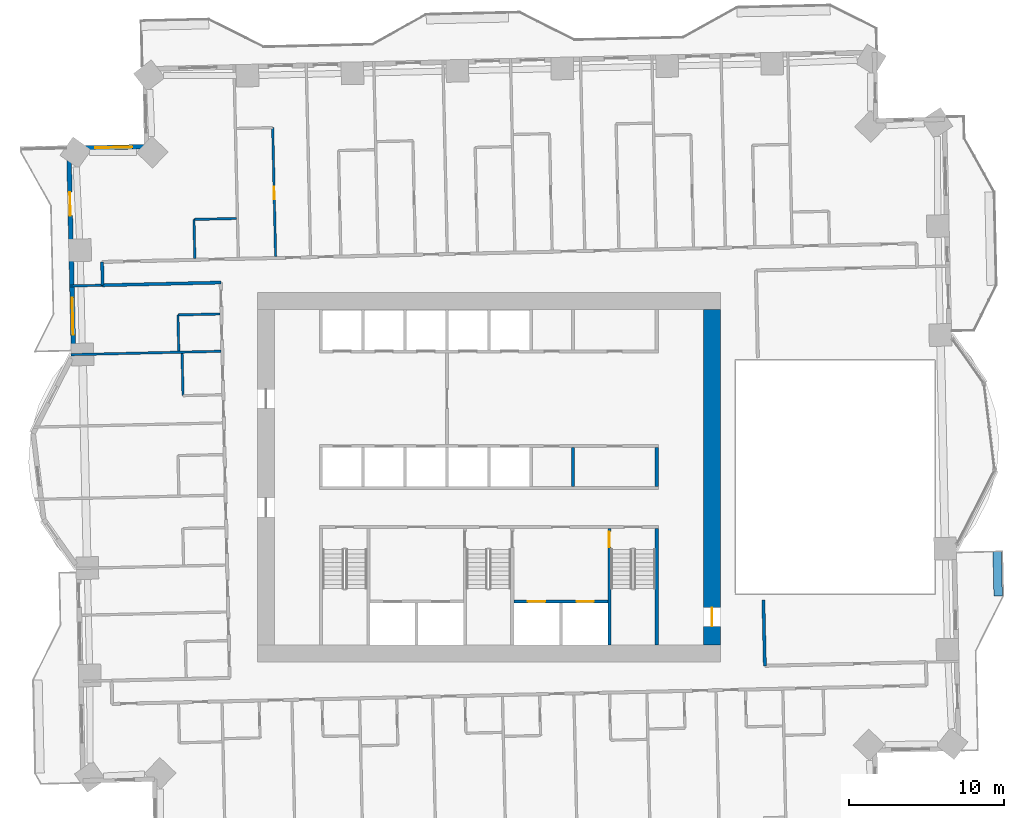
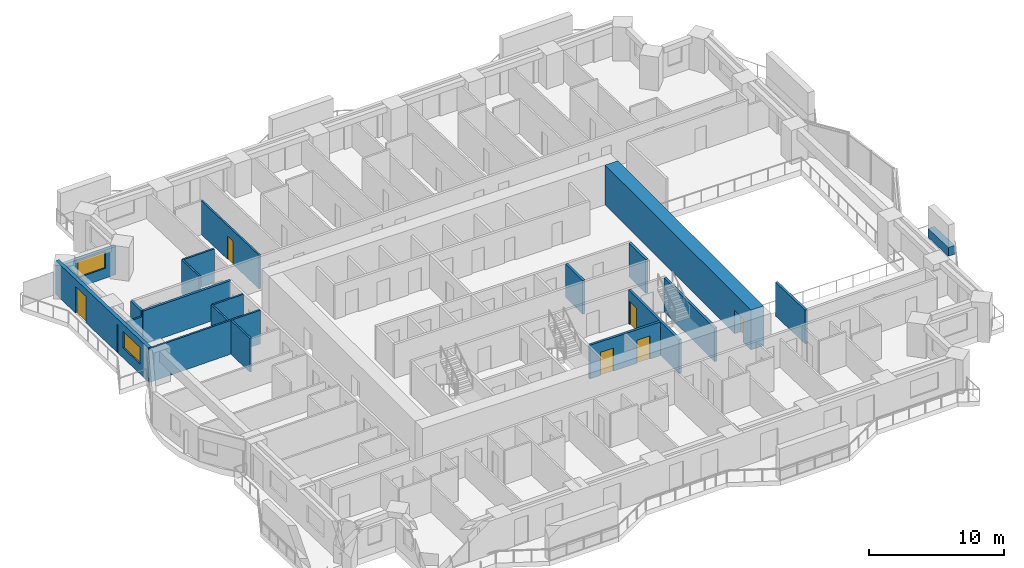
# One storey, part 10 of 17: 20 walls, 6 doors, 2 windows, 8 openings.
"""IFC4 building model written with IfcOpenShell, lengths in metres."""

from ifc_helpers import new_model, si_unit, direction, frame, frame_2d, origin, place, context, subcontext, project, spatial, rectangle, extrude, material, layer, layer_set, type_object, element, fill, save


model = new_model("IFC4")

# Units and contexts
model_context = context("Model", 3, precision=1e-05, world=origin(), true_north=direction((0.0, 1.0)))
body_context = subcontext(model_context, "Body", "Model", "MODEL_VIEW")
ifc_project = project(units=[si_unit("LENGTHUNIT", "METRE"), si_unit("AREAUNIT", "SQUARE_METRE"), si_unit("VOLUMEUNIT", "CUBIC_METRE"), si_unit("PLANEANGLEUNIT", "RADIAN"), si_unit("MASSUNIT", "GRAM", prefix="KILO")], contexts=[model_context])

# Site, building, storey
site_placement = place(None, origin())
site = spatial("IfcSite", under=ifc_project, at=site_placement, CompositionType="ELEMENT")
building_placement = place(site_placement, origin())
building = spatial("IfcBuilding", under=site, at=building_placement, Name="Mangrove Gate Tower", CompositionType="ELEMENT")
storey_placement = place(building_placement, frame((0.0, 0.0, 82.89990234375)))
storey = spatial("IfcBuildingStorey", under=building, at=storey_placement, Name="L20", CompositionType="ELEMENT", Elevation=82.89990234375)

# Walls
ifc_material_1 = material(Name="Concrete C32/40", Category="concrete")
ifc_layer_1 = layer(ifc_material_1, 0.199951171875)
ifc_layer_set_1 = layer_set([ifc_layer_1], Name="Core room wall 200 C32/40")
wall_type_1 = type_object("IfcWallType", Name="Core room wall 200 C32/40", PredefinedType="STANDARD", material=ifc_layer_set_1)
for number, where, z_axis, x_axis, name in (
    (1, (5.39990234375, -0.60009765625, 0.0), (0.0, 0.0, 1.0), (0.0, 1.0, 0.0), "WALL-L20-CORE-25"),
    (2, (10.800048828125, -0.60009765625, 0.0), (0.0, 0.0, 1.0), (0.0, 1.0, 0.0), "WALL-L20-CORE-26"),
):
    element("IfcWall", number, at=place(storey_placement, frame(where, z_axis=z_axis, x_axis=x_axis)), inside=storey, type_object=wall_type_1, Name=name, PredefinedType="STANDARD", context=body_context, shape_type="SweptSolid", body=[
        extrude(rectangle(XDim=2.5, YDim=0.199951171875, at=frame_2d((1.25, 0.0))), origin(), (0.0, 0.0, 1.0), 3.050048828125),
    ])

# Wall, openings, doors
ifc_material_2 = material(Name="Concrete C70/85", Category="concrete")
ifc_layer_2 = layer(ifc_material_2, 0.199951171875)
ifc_layer_set_2 = layer_set([ifc_layer_2], Name="Core shaft wall 200 C70/85")
wall_type_2 = type_object("IfcWallType", Name="Core shaft wall 200 C70/85", PredefinedType="SHEAR", material=ifc_layer_set_2)
wall_1_placement = place(storey_placement, frame((1.60009765625, -8.0, 0.0), z_axis=(0.0, 0.0, 1.0), x_axis=(1.0, 0.0, 0.0)))
wall_1 = element("IfcWall", 3, at=wall_1_placement, inside=storey, type_object=wall_type_2, Name="WALL-L20-CORE-17", PredefinedType="SHEAR", context=body_context, shape_type="SweptSolid", body=[
    extrude(rectangle(XDim=6.0498046875, YDim=0.199951171875, at=frame_2d((3.02490234375, 0.0))), origin(), (0.0, 0.0, 1.0), 3.050048828125),
])
opening_1_placement = place(wall_1_placement, frame((0.91259765625, 0.0, 0.0)))
opening_1 = element("IfcOpeningElement", 4, at=opening_1_placement, cuts=wall_1, Name="Opening LD", PredefinedType="OPENING", context=body_context, shape_type="SweptSolid", body=[
    extrude(rectangle(XDim=1.10009765625, YDim=2.10009765625, at=frame_2d((0.550048828125, 1.050048828125))), frame((0.0, 0.10986328125, 0.0), z_axis=(0.0, -1.0, 0.0), x_axis=(1.0, 0.0, 0.0)), (0.0, 0.0, 1.0), 0.219970703125),
])
opening_2_placement = place(wall_1_placement, frame((4.03759765625, 0.0, 0.0)))
opening_2 = element("IfcOpeningElement", 5, at=opening_2_placement, cuts=wall_1, Name="Opening LD", PredefinedType="OPENING", context=body_context, shape_type="SweptSolid", body=[
    extrude(rectangle(XDim=1.10009765625, YDim=2.10009765625, at=frame_2d((0.550048828125, 1.050048828125))), frame((0.0, 0.10986328125, 0.0), z_axis=(0.0, -1.0, 0.0), x_axis=(1.0, 0.0, 0.0)), (0.0, 0.0, 1.0), 0.219970703125),
])
ifc_material_3 = material(Name="Stainless steel 316", Category="steel")
door_type_1 = type_object("IfcDoorType", Name="Lift landing door 1100x2100", OperationType="SLIDING_TO_LEFT", PredefinedType="DOOR", material=ifc_material_3)
door_1_placement = place(opening_1_placement, origin())
door_1 = element("IfcDoor", 6, at=door_1_placement, inside=storey, type_object=door_type_1, Name="Landing door LD FFL1", OperationType="SLIDING_TO_LEFT", OverallHeight=2.10009765625, OverallWidth=1.10009765625, PredefinedType="DOOR", context=body_context, shape_type="SweptSolid", body=[
    extrude(rectangle(XDim=1.10009765625, YDim=2.10009765625, at=frame_2d((0.550048828125, 1.050048828125))), frame((0.0, 0.02490234375, 0.0), z_axis=(0.0, -1.0, 0.0), x_axis=(1.0, 0.0, 0.0)), (0.0, 0.0, 1.0), 0.050048828125),
])
fill(opening_1, door_1)
door_2_placement = place(opening_2_placement, origin())
door_2 = element("IfcDoor", 7, at=door_2_placement, inside=storey, type_object=door_type_1, Name="Landing door LD FFL2", OperationType="SLIDING_TO_LEFT", OverallHeight=2.10009765625, OverallWidth=1.10009765625, PredefinedType="DOOR", context=body_context, shape_type="SweptSolid", body=[
    extrude(rectangle(XDim=1.10009765625, YDim=2.10009765625, at=frame_2d((0.550048828125, 1.050048828125))), frame((0.0, 0.02490234375, 0.0), z_axis=(0.0, -1.0, 0.0), x_axis=(1.0, 0.0, 0.0)), (0.0, 0.0, 1.0), 0.050048828125),
])
fill(opening_2, door_2)

# Wall, opening, door
ifc_material_4 = material(Name="Concrete C70/85", Category="concrete")
ifc_layer_3 = layer(ifc_material_4, 0.199951171875)
ifc_layer_set_3 = layer_set([ifc_layer_3], Name="Core stair wall 200 C70/85")
wall_type_3 = type_object("IfcWallType", Name="Core stair wall 200 C70/85", PredefinedType="SHEAR", material=ifc_layer_set_3)
wall_2_placement = place(storey_placement, frame((7.75, -10.800048828125, 0.0), z_axis=(0.0, 0.0, 1.0), x_axis=(0.0, 1.0, 0.0)))
wall_2 = element("IfcWall", 8, at=wall_2_placement, inside=storey, type_object=wall_type_3, Name="WALL-L20-CORE-13", PredefinedType="SHEAR", context=body_context, shape_type="SweptSolid", body=[
    extrude(rectangle(XDim=7.5, YDim=0.199951171875, at=frame_2d((3.75, 0.0))), origin(), (0.0, 0.0, 1.0), 3.050048828125),
])
opening_3_placement = place(wall_2_placement, frame((6.300048828125, 0.0, 0.0)))
opening_3 = element("IfcOpeningElement", 9, at=opening_3_placement, cuts=wall_2, Name="Opening STD10", PredefinedType="OPENING", context=body_context, shape_type="SweptSolid", body=[
    extrude(rectangle(XDim=1.0, YDim=2.10009765625, at=frame_2d((0.5, 1.050048828125))), frame((0.0, 0.10986328125, 0.0), z_axis=(0.0, -1.0, 0.0), x_axis=(1.0, 0.0, 0.0)), (0.0, 0.0, 1.0), 0.219970703125),
])
ifc_material_5 = material(Name="Fire-rated steel door set", Category="steel")
door_type_2 = type_object("IfcDoorType", Name="Stair door FD60 1000x2100", OperationType="SINGLE_SWING_RIGHT", PredefinedType="DOOR", material=ifc_material_5)
door_3_placement = place(opening_3_placement, origin())
door_3 = element("IfcDoor", 10, at=door_3_placement, inside=storey, type_object=door_type_2, Name="Stair door Stair 3 from fire-fighting lobby", OperationType="SINGLE_SWING_RIGHT", OverallHeight=2.10009765625, OverallWidth=1.0, PredefinedType="DOOR", context=body_context, shape_type="SweptSolid", body=[
    extrude(rectangle(XDim=1.0, YDim=2.10009765625, at=frame_2d((0.5, 1.050048828125))), frame((0.0, 0.02490234375, 0.0), z_axis=(0.0, -1.0, 0.0), x_axis=(1.0, 0.0, 0.0)), (0.0, 0.0, 1.0), 0.050048828125),
])
fill(opening_3, door_3)

# Wall
wall_3_placement = place(storey_placement, frame((10.800048828125, -10.800048828125, 0.0), z_axis=(0.0, 0.0, 1.0), x_axis=(0.0, 1.0, 0.0)))
element("IfcWall", 11, at=wall_3_placement, inside=storey, type_object=wall_type_3, Name="WALL-L20-CORE-14", PredefinedType="SHEAR", context=body_context, shape_type="SweptSolid", body=[
    extrude(rectangle(XDim=7.5, YDim=0.199951171875, at=frame_2d((3.75, 0.0))), origin(), (0.0, 0.0, 1.0), 3.050048828125),
])

# Wall, opening, door
ifc_material_6 = material(Name="Concrete C70/85", Category="concrete")
ifc_layer_4 = layer(ifc_material_6, 1.10009765625)
ifc_layer_set_4 = layer_set([ifc_layer_4], Name="Core wall 1100 C70/85")
wall_type_4 = type_object("IfcWallType", Name="Core wall 1100 C70/85", PredefinedType="SHEAR", material=ifc_layer_set_4)
wall_4_placement = place(storey_placement, frame((14.35009765625, -10.800048828125, 0.0), z_axis=(0.0, 0.0, 1.0), x_axis=(0.0, 1.0, 0.0)))
wall_4 = element("IfcWall", 12, at=wall_4_placement, inside=storey, type_object=wall_type_4, Name="WALL-L20-CORE-4", PredefinedType="SHEAR", context=body_context, shape_type="SweptSolid", body=[
    extrude(rectangle(XDim=21.60009765625, YDim=1.10009765625, at=frame_2d((10.800048828125, 0.0))), origin(), (0.0, 0.0, 1.0), 3.60009765625),
])
opening_4_placement = place(wall_4_placement, frame((1.199951171875, 0.0, 0.0)))
opening_4 = element("IfcOpeningElement", 13, at=opening_4_placement, cuts=wall_4, Name="Opening CD", PredefinedType="OPENING", context=body_context, shape_type="SweptSolid", body=[
    extrude(rectangle(XDim=1.199951171875, YDim=2.10009765625, at=frame_2d((0.60009765625, 1.050048828125))), frame((0.0, 0.56005859375, 0.0), z_axis=(0.0, -1.0, 0.0), x_axis=(1.0, 0.0, 0.0)), (0.0, 0.0, 1.0), 1.1201171875),
])
ifc_material_7 = material(Name="Fire-rated steel door set", Category="steel")
door_type_3 = type_object("IfcDoorType", Name="Core ring door FD60 1200x2100", OperationType="DOUBLE_DOOR_SINGLE_SWING", PredefinedType="DOOR", material=ifc_material_7)
door_4_placement = place(opening_4_placement, origin())
door_4 = element("IfcDoor", 14, at=door_4_placement, inside=storey, type_object=door_type_3, Name="Core ring door E1", OperationType="DOUBLE_DOOR_SINGLE_SWING", OverallHeight=2.10009765625, OverallWidth=1.199951171875, PredefinedType="DOOR", context=body_context, shape_type="SweptSolid", body=[
    extrude(rectangle(XDim=1.199951171875, YDim=2.10009765625, at=frame_2d((0.60009765625, 1.050048828125))), frame((0.0, 0.02490234375, 0.0), z_axis=(0.0, -1.0, 0.0), x_axis=(1.0, 0.0, 0.0)), (0.0, 0.0, 1.0), 0.050048828125),
])
fill(opening_4, door_4)

# Walls
ifc_material_8 = material(Name="Gypsum board on steel stud, EI 60", Category="steel")
ifc_layer_5 = layer(ifc_material_8, 0.199951171875)
ifc_layer_set_5 = layer_set([ifc_layer_5], Name="Corridor wall EI 60")
wall_type_5 = type_object("IfcWallType", Name="Corridor wall EI 60", PredefinedType="PARTITIONING", material=ifc_layer_set_5)
wall_5_placement = place(storey_placement, frame((17.757080078125, -12.136962890625, 0.0), z_axis=(0.0, 0.0, 1.0), x_axis=(-0.022718785711, 0.999741895079, 0.0)))
element("IfcWall", 15, at=wall_5_placement, inside=storey, type_object=wall_type_5, Name="WALL-L20-038", PredefinedType="PARTITIONING", context=body_context, shape_type="SweptSolid", body=[
    extrude(rectangle(XDim=4.23388671875, YDim=0.199951171875, at=frame_2d((2.116943359375, 0.0))), origin(), (0.0, 0.0, 1.0), 3.050048828125),
])
wall_6_placement = place(storey_placement, frame((-24.861083984375, 12.35205078125, 0.0), z_axis=(0.0, 0.0, 1.0), x_axis=(0.999741736108, 0.02272578017, 0.0)))
element("IfcWall", 16, at=wall_6_placement, inside=storey, type_object=wall_type_5, Name="WALL-L20-056", PredefinedType="PARTITIONING", context=body_context, shape_type="SweptSolid", body=[
    extrude(rectangle(XDim=7.60595703125, YDim=0.199951171875, at=frame_2d((3.802978515625, 0.0))), origin(), (0.0, 0.0, 1.0), 3.050048828125),
])
wall_7_placement = place(storey_placement, frame((-24.860107421875, 12.35205078125, 0.0), z_axis=(0.0, 0.0, 1.0), x_axis=(-0.022617910375, 0.999744182344, 0.0)))
element("IfcWall", 17, at=wall_7_placement, inside=storey, type_object=wall_type_5, Name="WALL-L20-057", PredefinedType="PARTITIONING", context=body_context, shape_type="SweptSolid", body=[
    extrude(rectangle(XDim=1.50048828125, YDim=0.199951171875, at=frame_2d((0.750244140625, 0.0))), origin(), (0.0, 0.0, 1.0), 3.050048828125),
])

# Wall, opening, window
ifc_material_9 = material(Name="Limestone", Category="masonry")
ifc_layer_6 = layer(ifc_material_9, 0.0400390625, Name="Limestone cladding")
ifc_material_10 = material(Name="Ventilated air gap")
ifc_layer_7 = layer(ifc_material_10, 0.0400390625, Name="Ventilated cavity")
ifc_material_11 = material(Name="Mineral wool insulation")
ifc_layer_8 = layer(ifc_material_11, 0.06005859375, Name="Insulation")
ifc_material_12 = material(Name="Breather membrane")
ifc_layer_9 = layer(ifc_material_12, 0.001953125, Name="Breather membrane")
ifc_material_13 = material(Name="Concrete C20/25 blockwork", Category="masonry")
ifc_layer_10 = layer(ifc_material_13, 0.14990234375, Name="Blockwork backing wall")
ifc_material_14 = material(Name="Gypsum plaster")
ifc_layer_11 = layer(ifc_material_14, 0.008056640625, Name="Internal plaster")
ifc_layer_set_6 = layer_set([ifc_layer_6, ifc_layer_7, ifc_layer_8, ifc_layer_9, ifc_layer_10, ifc_layer_11], Name="External wall 300 limestone cladding")
wall_type_6 = type_object("IfcWallType", Name="External wall 300 limestone cladding", PredefinedType="SOLIDWALL", material=ifc_layer_set_6)
wall_8_placement = place(storey_placement, frame((-22.037109375, 21.26904296875, 0.0), z_axis=(0.0, 0.0, 1.0), x_axis=(-0.999739992103, -0.022802372469, 0.0)))
wall_8 = element("IfcWall", 18, at=wall_8_placement, inside=storey, type_object=wall_type_6, Name="WALL-L20-N7", PredefinedType="SOLIDWALL", context=body_context, shape_type="SweptSolid", body=[
    extrude(rectangle(XDim=5.0, YDim=0.300048828125, at=frame_2d((2.5, 0.0))), origin(), (0.0, 0.0, 1.0), 2.550048828125),
])
opening_5_placement = place(wall_8_placement, frame((0.907958984375, 0.0, 0.89990234375)))
opening_5 = element("IfcOpeningElement", 19, at=opening_5_placement, cuts=wall_8, Name="Opening W2", PredefinedType="OPENING", context=body_context, shape_type="SweptSolid", body=[
    extrude(rectangle(XDim=2.39990234375, YDim=1.5, at=frame_2d((1.199951171875, 0.75))), frame((0.0, 0.159912109375, 0.0), z_axis=(0.0, -1.0, 0.0), x_axis=(1.0, 0.0, 0.0)), (0.0, 0.0, 1.0), 0.320068359375),
])
ifc_material_15 = material(Name="Aluminium frame with double-glazed low-e glass", Category="aluminium")
window_type = type_object("IfcWindowType", Name="Corner room window 2400x1500", PartitioningType="DOUBLE_PANEL_VERTICAL", PredefinedType="WINDOW", material=ifc_material_15)
window_1_placement = place(opening_5_placement, origin())
window_1 = element("IfcWindow", 20, at=window_1_placement, inside=storey, type_object=window_type, Name="WIN-L20-N7-1", OverallHeight=1.5, OverallWidth=2.39990234375, PartitioningType="DOUBLE_PANEL_VERTICAL", PredefinedType="WINDOW", context=body_context, shape_type="SweptSolid", body=[
    extrude(rectangle(XDim=2.39990234375, YDim=1.5, at=frame_2d((1.199951171875, 0.75))), frame((0.0, 0.030029296875, 0.0), z_axis=(0.0, -1.0, 0.0), x_axis=(1.0, 0.0, 0.0)), (0.0, 0.0, 1.0), 0.06005859375),
])
fill(opening_5, window_1)

# Wall, openings, door, window
wall_9_placement = place(storey_placement, frame((-27.035888671875, 21.155029296875, 0.0), z_axis=(0.0, 0.0, 1.0), x_axis=(0.022730142562, -0.999741636934, 0.0)))
wall_9 = element("IfcWall", 21, at=wall_9_placement, inside=storey, type_object=wall_type_6, Name="WALL-L20-W8", PredefinedType="SOLIDWALL", context=body_context, shape_type="SweptSolid", body=[
    extrude(rectangle(XDim=13.329345703125, YDim=0.300048828125, at=frame_2d((6.66455078125, 0.0))), origin(), (0.0, 0.0, 1.0), 3.050048828125),
])
opening_6_placement = place(wall_9_placement, frame((2.818115234375, 0.0, 0.0)))
opening_6 = element("IfcOpeningElement", 22, at=opening_6_placement, cuts=wall_9, Name="Opening BD1", PredefinedType="OPENING", context=body_context, shape_type="SweptSolid", body=[
    extrude(rectangle(XDim=1.5, YDim=2.39990234375, at=frame_2d((0.75, 1.199951171875))), frame((0.0, 0.159912109375, 0.0), z_axis=(0.0, -1.0, 0.0), x_axis=(1.0, 0.0, 0.0)), (0.0, 0.0, 1.0), 0.320068359375),
])
opening_7_placement = place(wall_9_placement, frame((9.60009765625, 0.0, 0.89990234375)))
opening_7 = element("IfcOpeningElement", 23, at=opening_7_placement, cuts=wall_9, Name="Opening W2", PredefinedType="OPENING", context=body_context, shape_type="SweptSolid", body=[
    extrude(rectangle(XDim=2.39990234375, YDim=1.5, at=frame_2d((1.199951171875, 0.75))), frame((0.0, 0.159912109375, 0.0), z_axis=(0.0, -1.0, 0.0), x_axis=(1.0, 0.0, 0.0)), (0.0, 0.0, 1.0), 0.320068359375),
])
ifc_material_16 = material(Name="Aluminium frame with laminated clear glass", Category="aluminium")
door_type_4 = type_object("IfcDoorType", Name="Balcony sliding door 1500x2400", OperationType="SLIDING_TO_LEFT", PredefinedType="DOOR", material=ifc_material_16)
door_5_placement = place(opening_6_placement, origin())
door_5 = element("IfcDoor", 24, at=door_5_placement, inside=storey, type_object=door_type_4, Name="DOOR-L20-W8-1", OperationType="SLIDING_TO_LEFT", OverallHeight=2.39990234375, OverallWidth=1.5, PredefinedType="DOOR", context=body_context, shape_type="SweptSolid", body=[
    extrude(rectangle(XDim=1.5, YDim=2.39990234375, at=frame_2d((0.75, 1.199951171875))), frame((0.0, 0.02490234375, 0.0), z_axis=(0.0, -1.0, 0.0), x_axis=(1.0, 0.0, 0.0)), (0.0, 0.0, 1.0), 0.050048828125),
])
fill(opening_6, door_5)
window_2_placement = place(opening_7_placement, origin())
window_2 = element("IfcWindow", 25, at=window_2_placement, inside=storey, type_object=window_type, Name="WIN-L20-W8-2", OverallHeight=1.5, OverallWidth=2.39990234375, PartitioningType="DOUBLE_PANEL_VERTICAL", PredefinedType="WINDOW", context=body_context, shape_type="SweptSolid", body=[
    extrude(rectangle(XDim=2.39990234375, YDim=1.5, at=frame_2d((1.199951171875, 0.75))), frame((0.0, 0.030029296875, 0.0), z_axis=(0.0, -1.0, 0.0), x_axis=(1.0, 0.0, 0.0)), (0.0, 0.0, 1.0), 0.06005859375),
])
fill(opening_7, window_2)

# Walls
ifc_material_17 = material(Name="Gypsum board on steel stud, EI 60", Category="steel")
ifc_layer_12 = layer(ifc_material_17, 0.14990234375)
ifc_layer_set_7 = layer_set([ifc_layer_12], Name="Party wall 150 EI 60")
wall_type_7 = type_object("IfcWallType", Name="Party wall 150 EI 60", PredefinedType="PARTITIONING", material=ifc_layer_set_7)
wall_10_placement = place(storey_placement, frame((-19.68701171875, 5.242919921875, 0.0), z_axis=(0.0, 0.0, 1.0), x_axis=(-0.022758040381, 0.999741002259, 0.0)))
element("IfcWall", 26, at=wall_10_placement, inside=storey, type_object=wall_type_7, Name="WALL-L20-049", PredefinedType="PARTITIONING", context=body_context, shape_type="SweptSolid", body=[
    extrude(rectangle(XDim=2.724853515625, YDim=0.14990234375, at=frame_2d((1.3623046875, 0.0))), origin(), (0.0, 0.0, 1.0), 3.050048828125),
])
wall_11_placement = place(storey_placement, frame((-19.9619140625, 8.112060546875, 0.0), z_axis=(0.0, 0.0, 1.0), x_axis=(-0.022781023197, 0.999740478815, 0.0)))
element("IfcWall", 27, at=wall_11_placement, inside=storey, type_object=wall_type_7, Name="WALL-L20-052", PredefinedType="PARTITIONING", context=body_context, shape_type="SweptSolid", body=[
    extrude(rectangle(XDim=2.325439453125, YDim=0.14990234375, at=frame_2d((1.16259765625, 0.0))), origin(), (0.0, 0.0, 1.0), 3.050048828125),
])
wall_12_placement = place(storey_placement, frame((-26.885009765625, 7.885009765625, 0.0), z_axis=(0.0, 0.0, 1.0), x_axis=(0.999741468995, 0.022737527832, 0.0)))
element("IfcWall", 28, at=wall_12_placement, inside=storey, type_object=wall_type_7, Name="WALL-L20-053", PredefinedType="PARTITIONING", context=body_context, shape_type="SweptSolid", body=[
    extrude(rectangle(XDim=9.63134765625, YDim=0.14990234375, at=frame_2d((4.815673828125, 0.0))), origin(), (0.0, 0.0, 1.0), 3.050048828125),
])
wall_13_placement = place(storey_placement, frame((-20.010009765625, 10.44189453125, 0.0), z_axis=(0.0, 0.0, 1.0), x_axis=(0.999744396973, 0.02260842146, 0.0)))
element("IfcWall", 29, at=wall_13_placement, inside=storey, type_object=wall_type_7, Name="WALL-L20-054", PredefinedType="PARTITIONING", context=body_context, shape_type="SweptSolid", body=[
    extrude(rectangle(XDim=2.69970703125, YDim=0.14990234375, at=frame_2d((1.349853515625, 0.0))), origin(), (0.0, 0.0, 1.0), 3.050048828125),
])
wall_14_placement = place(storey_placement, frame((-26.985107421875, 12.303955078125, 0.0), z_axis=(0.0, 0.0, 1.0), x_axis=(0.99973426125, 0.02305226414, 0.0)))
element("IfcWall", 30, at=wall_14_placement, inside=storey, type_object=wall_type_7, Name="WALL-L20-055", PredefinedType="PARTITIONING", context=body_context, shape_type="SweptSolid", body=[
    extrude(rectangle(XDim=2.128662109375, YDim=0.14990234375, at=frame_2d((1.064453125, 0.0))), origin(), (0.0, 0.0, 1.0), 2.550048828125),
])
wall_15_placement = place(storey_placement, frame((-18.927001953125, 14.0869140625, 0.0), z_axis=(0.0, 0.0, 1.0), x_axis=(-0.02274801823, 0.999741230352, 0.0)))
element("IfcWall", 31, at=wall_15_placement, inside=storey, type_object=wall_type_7, Name="WALL-L20-062", PredefinedType="PARTITIONING", context=body_context, shape_type="SweptSolid", body=[
    extrude(rectangle(XDim=2.500732421875, YDim=0.14990234375, at=frame_2d((1.25048828125, 0.0))), origin(), (0.0, 0.0, 1.0), 3.050048828125),
])

# Wall, opening, door
wall_16_placement = place(storey_placement, frame((-13.72900390625, 14.205078125, 0.0), z_axis=(0.0, 0.0, 1.0), x_axis=(-0.022676583998, 0.999742853207, 0.0)))
wall_16 = element("IfcWall", 32, at=wall_16_placement, inside=storey, type_object=wall_type_7, Name="WALL-L20-064", PredefinedType="PARTITIONING", context=body_context, shape_type="SweptSolid", body=[
    extrude(rectangle(XDim=8.2900390625, YDim=0.14990234375, at=frame_2d((4.14501953125, 0.0))), origin(), (0.0, 0.0, 1.0), 3.050048828125),
])
opening_8_placement = place(wall_16_placement, frame((3.695068359375, 0.0, 0.0)))
opening_8 = element("IfcOpeningElement", 33, at=opening_8_placement, cuts=wall_16, Name="Opening ED", PredefinedType="OPENING", context=body_context, shape_type="SweptSolid", body=[
    extrude(rectangle(XDim=0.800048828125, YDim=2.10009765625, at=frame_2d((0.39990234375, 1.050048828125))), frame((0.0, 0.0849609375, 0.0), z_axis=(0.0, -1.0, 0.0), x_axis=(1.0, 0.0, 0.0)), (0.0, 0.0, 1.0), 0.169921875),
])
ifc_material_18 = material(Name="Timber door leaf", Category="wood")
door_type_5 = type_object("IfcDoorType", Name="En-suite door 800", OperationType="SINGLE_SWING_LEFT", PredefinedType="DOOR", material=ifc_material_18)
door_6_placement = place(opening_8_placement, origin())
door_6 = element("IfcDoor", 34, at=door_6_placement, inside=storey, type_object=door_type_5, Name="DOOR-L20-ENS-c516", OperationType="SINGLE_SWING_RIGHT", OverallHeight=2.10009765625, OverallWidth=0.800048828125, PredefinedType="DOOR", context=body_context, shape_type="SweptSolid", body=[
    extrude(rectangle(XDim=0.800048828125, YDim=2.10009765625, at=frame_2d((0.39990234375, 1.050048828125))), frame((0.0, 0.02490234375, 0.0), z_axis=(0.0, -1.0, 0.0), x_axis=(1.0, 0.0, 0.0)), (0.0, 0.0, 1.0), 0.050048828125),
])
fill(opening_8, door_6)

# Walls
wall_17_placement = place(storey_placement, frame((-18.97998046875, 16.5869140625, 0.0), z_axis=(0.0, 0.0, 1.0), x_axis=(0.999740955847, 0.022760079124, 0.0)))
element("IfcWall", 35, at=wall_17_placement, inside=storey, type_object=wall_type_7, Name="WALL-L20-082", PredefinedType="PARTITIONING", context=body_context, shape_type="SweptSolid", body=[
    extrude(rectangle(XDim=2.724609375, YDim=0.14990234375, at=frame_2d((1.3623046875, 0.0))), origin(), (0.0, 0.0, 1.0), 3.050048828125),
])
ifc_material_19 = material(Name="Concrete C32/40", Category="concrete")
ifc_layer_13 = layer(ifc_material_19, 0.199951171875, Name="Planter trough wall")
ifc_material_20 = material(Name="Bituminous waterproofing membrane")
ifc_layer_14 = layer(ifc_material_20, 0.0048828125, Name="Waterproofing")
ifc_material_21 = material(Name="Drainage board and gravel")
ifc_layer_15 = layer(ifc_material_21, 0.044921875, Name="Drainage layer")
ifc_material_22 = material(Name="Planting soil")
ifc_layer_16 = layer(ifc_material_22, 0.300048828125, Name="Growing medium")
ifc_layer_set_8 = layer_set([ifc_layer_13, ifc_layer_14, ifc_layer_15, ifc_layer_16], Name="Planter wall 550 C32/40")
wall_type_8 = type_object("IfcWallType", Name="Planter wall 550 C32/40", PredefinedType="USERDEFINED", material=ifc_layer_set_8)
wall_18_placement = place(storey_placement, frame((32.77001953125, -7.64501953125, 0.0), z_axis=(0.0, 0.0, 1.0), x_axis=(-0.022590224177, 0.999744808324, 0.0)))
element("IfcWall", 36, at=wall_18_placement, inside=storey, type_object=wall_type_8, Name="PLANTER L20 E0.1", ObjectType="PLANTER", PredefinedType="USERDEFINED", context=body_context, shape_type="SweptSolid", body=[
    extrude(rectangle(XDim=2.874755859375, YDim=0.550048828125, at=frame_2d((1.4375, 0.0))), origin(), (0.0, 0.0, 1.0), 0.800048828125),
])

save(model, "model.ifc")
